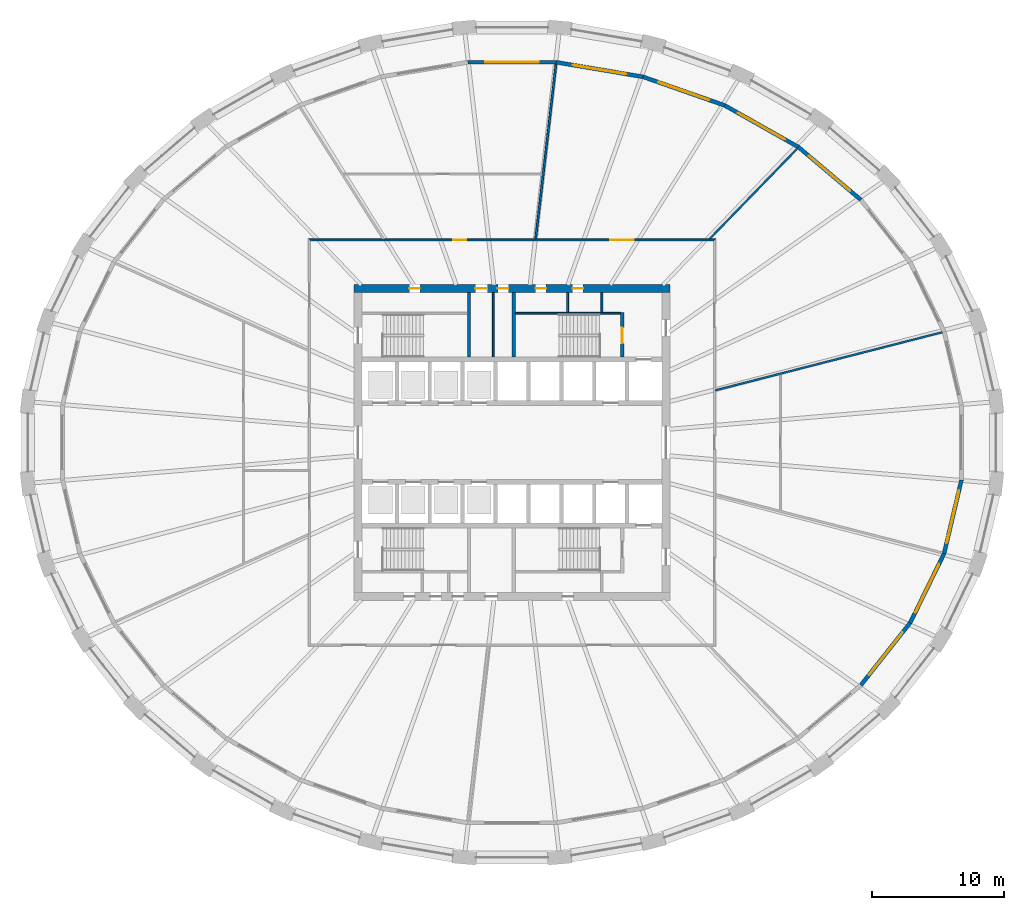
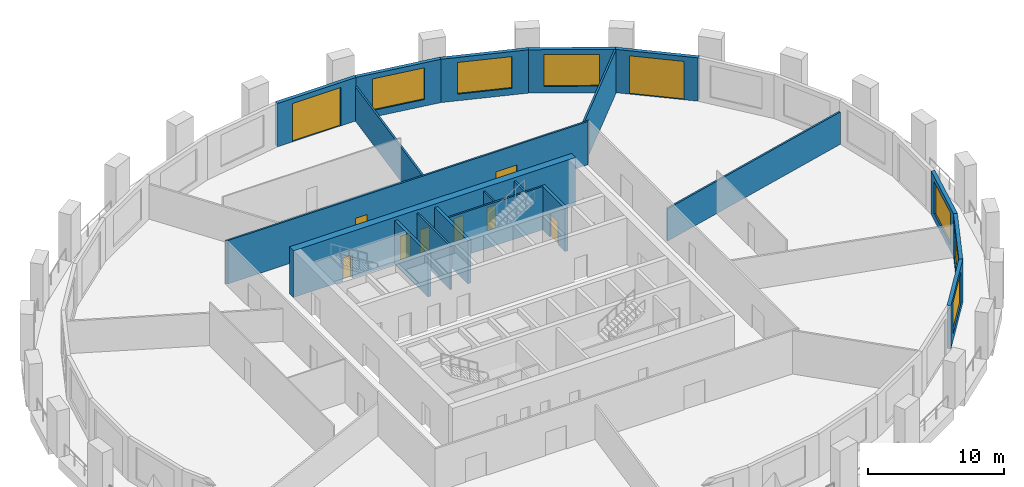
# One storey, part 6 of 10: 20 walls, 10 doors, 6 windows, 16 openings.
"""IFC4 building model written with IfcOpenShell, lengths in metres."""

from ifc_helpers import new_model, si_unit, direction, frame, frame_2d, origin, place, context, subcontext, project, spatial, polyline, rectangle, outline, extrude, material, layer, layer_set, type_object, element, fill, save


model = new_model("IFC4")

# Units and contexts
model_context = context("Model", 3, precision=1e-05, world=origin(), true_north=direction((0.0, 1.0)))
body_context = subcontext(model_context, "Body", "Model", "MODEL_VIEW")
ifc_project = project(units=[si_unit("LENGTHUNIT", "METRE"), si_unit("AREAUNIT", "SQUARE_METRE"), si_unit("VOLUMEUNIT", "CUBIC_METRE"), si_unit("PLANEANGLEUNIT", "RADIAN"), si_unit("MASSUNIT", "GRAM", prefix="KILO")], contexts=[model_context])

# Site, building, storey
site_placement = place(None, origin())
site = spatial("IfcSite", under=ifc_project, at=site_placement, CompositionType="ELEMENT")
building_placement = place(site_placement, origin())
building = spatial("IfcBuilding", under=site, at=building_placement, Name="Halqa Exchange Tower", CompositionType="ELEMENT")
storey_placement = place(building_placement, frame((0.0, 0.0, 61.300048828125)))
storey = spatial("IfcBuildingStorey", under=building, at=storey_placement, Name="L13", CompositionType="ELEMENT", Elevation=61.300048828125)

# Wall, openings, doors
ifc_material_1 = material(Name="Fire-rated gypsum board")
ifc_layer_1 = layer(ifc_material_1, 0.14990234375)
ifc_layer_set_1 = layer_set([ifc_layer_1], Name="Fire-rated gypsum board")
wall_type_1 = type_object("IfcWallType", Name="Fire partition EI 60 150", PredefinedType="PARTITIONING", material=ifc_layer_set_1)
wall_1_placement = place(storey_placement, frame((-15.47509765625, 15.39990234375, 0.0), z_axis=(0.0, 0.0, 1.0), x_axis=(1.0, 0.0, 0.0)))
wall_1 = element("IfcWall", 1, at=wall_1_placement, inside=storey, type_object=wall_type_1, Name="L13-PWL-010", PredefinedType="PARTITIONING", context=body_context, shape_type="SweptSolid", body=[
    extrude(outline(polyline([(0.150146484375, -0.074951171875), (2.065673828125, -0.074951171875), (3.9814453125, -0.074951171875), (5.89697265625, -0.074951171875), (7.8125, -0.074951171875), (9.728271484375, -0.074951171875), (11.643798828125, -0.074951171875), (13.5595703125, -0.074951171875), (15.47509765625, -0.074951171875), (17.390625, -0.074951171875), (19.306396484375, -0.074951171875), (21.221923828125, -0.074951171875), (23.1376953125, -0.074951171875), (25.05322265625, -0.074951171875), (26.96875, -0.074951171875), (28.884521484375, -0.074951171875), (30.800048828125, -0.074951171875), (30.949951171875, 0.074951171875), (29.015625, 0.074951171875), (27.081298828125, 0.074951171875), (25.14697265625, 0.074951171875), (23.21240234375, 0.074951171875), (21.278076171875, 0.074951171875), (19.34375, 0.074951171875), (17.409423828125, 0.074951171875), (15.47509765625, 0.074951171875), (13.540771484375, 0.074951171875), (11.6064453125, 0.074951171875), (9.672119140625, 0.074951171875), (7.73779296875, 0.074951171875), (5.80322265625, 0.074951171875), (3.868896484375, 0.074951171875), (1.9345703125, 0.074951171875), (0.000244140625, 0.074951171875), (0.150146484375, -0.074951171875)])), origin(), (0.0, 0.0, 1.0), 3.89990234375),
])
opening_1_placement = place(wall_1_placement, frame((22.945068359375, 0.0, 0.0)))
opening_1 = element("IfcOpeningElement", 2, at=opening_1_placement, cuts=wall_1, Name="Opening 04-04", PredefinedType="OPENING", context=body_context, shape_type="SweptSolid", body=[
    extrude(rectangle(XDim=1.800048828125, YDim=2.10009765625, at=frame_2d((0.89990234375, 1.050048828125))), frame((0.0, 0.0869140625, 0.0), z_axis=(0.0, -1.0, 0.0), x_axis=(1.0, 0.0, 0.0)), (0.0, 0.0, 1.0), 0.173828125),
])
opening_2_placement = place(wall_1_placement, frame((11.0, 0.0, 0.0)))
opening_2 = element("IfcOpeningElement", 3, at=opening_2_placement, cuts=wall_1, Name="Opening 04-05", PredefinedType="OPENING", context=body_context, shape_type="SweptSolid", body=[
    extrude(rectangle(XDim=1.0, YDim=2.10009765625, at=frame_2d((0.5, 1.050048828125))), frame((0.0, 0.0869140625, 0.0), z_axis=(0.0, -1.0, 0.0), x_axis=(1.0, 0.0, 0.0)), (0.0, 0.0, 1.0), 0.173828125),
])
ifc_material_2 = material(Name="Steel fire door leaf", Category="steel")
door_type_1 = type_object("IfcDoorType", Name="Fire door FD30S 1000 x 2100", OperationType="SINGLE_SWING_LEFT", PredefinedType="DOOR", material=ifc_material_2)
door_1_placement = place(opening_2_placement, origin())
door_1 = element("IfcDoor", 4, at=door_1_placement, inside=storey, type_object=door_type_1, Name="L13-IDR-005", OperationType="SINGLE_SWING_RIGHT", OverallHeight=2.10009765625, OverallWidth=1.0, PredefinedType="DOOR", context=body_context, shape_type="SweptSolid", body=[
    extrude(rectangle(XDim=1.0, YDim=2.10009765625, at=frame_2d((0.5, 1.050048828125))), frame((0.0, 0.02490234375, 0.0), z_axis=(0.0, -1.0, 0.0), x_axis=(1.0, 0.0, 0.0)), (0.0, 0.0, 1.0), 0.050048828125),
])
fill(opening_2, door_1)
door_type_2 = type_object("IfcDoorType", Name="Fire door FD30S double 1800 x 2100", OperationType="DOUBLE_DOOR_SINGLE_SWING", PredefinedType="DOOR", material=ifc_material_2)
door_2_placement = place(opening_1_placement, origin())
door_2 = element("IfcDoor", 5, at=door_2_placement, inside=storey, type_object=door_type_2, Name="L13-IDR-004", OperationType="DOUBLE_DOOR_SINGLE_SWING", OverallHeight=2.10009765625, OverallWidth=1.800048828125, PredefinedType="DOOR", context=body_context, shape_type="SweptSolid", body=[
    extrude(rectangle(XDim=1.800048828125, YDim=2.10009765625, at=frame_2d((0.89990234375, 1.050048828125))), frame((0.0, 0.02490234375, 0.0), z_axis=(0.0, -1.0, 0.0), x_axis=(1.0, 0.0, 0.0)), (0.0, 0.0, 1.0), 0.050048828125),
])
fill(opening_1, door_2)

# Walls
wall_2_placement = place(storey_placement, frame((1.7978515625, 15.466552734375, 0.0), z_axis=(0.0, 0.0, 1.0), x_axis=(0.115693975805, 0.993284905736, 0.0)))
element("IfcWall", 6, at=wall_2_placement, inside=storey, type_object=wall_type_1, Name="L13-PWL-013", PredefinedType="PARTITIONING", context=body_context, shape_type="SweptSolid", body=[
    extrude(outline(polyline([(13.37255859375, -0.074951171875), (13.37255859375, 0.0283203125), (13.3671875, 0.074951171875), (11.69482421875, 0.074951171875), (10.0224609375, 0.074951171875), (8.35009765625, 0.074951171875), (6.677734375, 0.074951171875), (5.00537109375, 0.074951171875), (4.908935546875, 0.063720703125), (4.90771484375, 0.074951171875), (3.271728515625, 0.074951171875), (1.635986328125, 0.074951171875), (0.0, 0.074951171875), (0.0, 0.072998046875), (0.017333984375, -0.074951171875), (1.925048828125, -0.074951171875), (3.8330078125, -0.074951171875), (5.740966796875, -0.074951171875), (7.64892578125, -0.074951171875), (9.556640625, -0.074951171875), (11.464599609375, -0.074951171875), (13.37255859375, -0.074951171875)])), origin(), (0.0, 0.0, 1.0), 3.099853515625),
])
wall_3_placement = place(storey_placement, frame((14.972412109375, 15.423095703125, 0.0), z_axis=(0.0, 0.0, 1.0), x_axis=(0.696498460967, 0.717558286044, 0.0)))
element("IfcWall", 7, at=wall_3_placement, inside=storey, type_object=wall_type_1, Name="L13-PWL-014", PredefinedType="PARTITIONING", context=body_context, shape_type="SweptSolid", body=[
    extrude(outline(polyline([(0.0, 0.074951171875), (0.0, 0.074462890625), (0.14501953125, -0.074951171875), (2.0380859375, -0.074951171875), (3.93115234375, -0.074951171875), (5.82421875, -0.074951171875), (7.71728515625, -0.074951171875), (9.6103515625, -0.074951171875), (9.6103515625, 0.074951171875), (7.688232421875, 0.074951171875), (5.76611328125, 0.074951171875), (3.84423828125, 0.074951171875), (1.922119140625, 0.074951171875), (0.0, 0.074951171875)])), origin(), (0.0, 0.0, 1.0), 3.89990234375),
])
wall_4_placement = place(storey_placement, frame((15.456787109375, 3.964599609375, 0.0), z_axis=(0.0, 0.0, 1.0), x_axis=(0.968758808885, 0.248004778598, 0.0)))
element("IfcWall", 8, at=wall_4_placement, inside=storey, type_object=wall_type_1, Name="L13-PWL-017", PredefinedType="PARTITIONING", context=body_context, shape_type="SweptSolid", body=[
    extrude(outline(polyline([(0.0, -0.074951171875), (1.67724609375, -0.074951171875), (3.3544921875, -0.074951171875), (5.03173828125, -0.074951171875), (5.03173828125, -0.074951171875), (5.0322265625, -0.074951171875), (6.8564453125, -0.074951171875), (8.680419921875, -0.074951171875), (10.504638671875, -0.074951171875), (12.328857421875, -0.074951171875), (14.153076171875, -0.074951171875), (15.97705078125, -0.074951171875), (17.80126953125, -0.074951171875), (17.80126953125, 0.01708984375), (17.789306640625, 0.074951171875), (15.81689453125, 0.074951171875), (13.844482421875, 0.074951171875), (11.8720703125, 0.074951171875), (9.89990234375, 0.074951171875), (7.927490234375, 0.074951171875), (5.955078125, 0.074951171875), (3.982666015625, 0.074951171875), (2.01025390625, 0.074951171875), (0.0380859375, 0.074951171875), (0.0, -0.073486328125), (0.0, -0.074951171875)])), origin(), (0.0, 0.0, 1.0), 2.909912109375),
])
ifc_material_3 = material(Name="Gypsum board")
ifc_layer_2 = layer(ifc_material_3, 0.14990234375)
ifc_layer_set_2 = layer_set([ifc_layer_2], Name="Gypsum board")
wall_type_2 = type_object("IfcWallType", Name="Penthouse riser wall 150 gypsum", PredefinedType="PARTITIONING", material=ifc_layer_set_2)
wall_5_placement = place(storey_placement, frame((-1.425048828125, 6.5, 0.0), z_axis=(0.0, 0.0, 1.0), x_axis=(0.0, 1.0, 0.0)))
element("IfcWall", 9, at=wall_5_placement, inside=storey, type_object=wall_type_2, Name="Partition W1.425 N", PredefinedType="PARTITIONING", context=body_context, shape_type="SweptSolid", body=[
    extrude(rectangle(XDim=4.89990234375, YDim=0.14990234375, at=frame_2d((2.449951171875, 0.0))), origin(), (0.0, 0.0, 1.0), 3.89990234375),
])
for number, where, z_axis, x_axis, name in (
    (10, (4.22509765625, 9.89990234375, 0.0), (0.0, 0.0, 1.0), (0.0, 1.0, 0.0), "Partition E4.225 N"),
    (11, (6.824951171875, 9.89990234375, 0.0), (0.0, 0.0, 1.0), (0.0, 1.0, 0.0), "Firefighting lobby west wall N"),
):
    element("IfcWall", number, at=place(storey_placement, frame(where, z_axis=z_axis, x_axis=x_axis)), inside=storey, type_object=wall_type_2, Name=name, PredefinedType="PARTITIONING", context=body_context, shape_type="SweptSolid", body=[
        extrude(rectangle(XDim=1.5, YDim=0.14990234375, at=frame_2d((0.75, 0.0))), origin(), (0.0, 0.0, 1.0), 3.89990234375),
    ])

# Wall, openings, doors
ifc_material_4 = material(Name="Concrete C80/95", Category="concrete")
ifc_layer_3 = layer(ifc_material_4, 0.60009765625)
ifc_layer_set_3 = layer_set([ifc_layer_3], Name="Concrete C80/95")
wall_type_3 = type_object("IfcWallType", Name="RC core wall 600 C80/95", PredefinedType="SHEAR", material=ifc_layer_set_3)
wall_6_placement = place(storey_placement, frame((-12.0, 11.699951171875, 0.0), z_axis=(0.0, 0.0, 1.0), x_axis=(1.0, 0.0, 0.0)))
wall_6 = element("IfcWall", 12, at=wall_6_placement, inside=storey, type_object=wall_type_3, Name="Core wall north", PredefinedType="SHEAR", context=body_context, shape_type="SweptSolid", body=[
    extrude(rectangle(XDim=24.0, YDim=0.60009765625, at=frame_2d((12.0, 0.0))), origin(), (0.0, 0.0, 1.0), 4.199951171875),
])
opening_3_placement = place(wall_6_placement, frame((9.22509765625, 0.0, 0.0)))
opening_3 = element("IfcOpeningElement", 13, at=opening_3_placement, cuts=wall_6, Name="Opening T04-C21", PredefinedType="OPENING", context=body_context, shape_type="SweptSolid", body=[
    extrude(rectangle(XDim=0.89990234375, YDim=2.10009765625, at=frame_2d((0.449951171875, 1.050048828125))), frame((0.0, 0.31201171875, 0.0), z_axis=(0.0, -1.0, 0.0), x_axis=(1.0, 0.0, 0.0)), (0.0, 0.0, 1.0), 0.6240234375),
])
opening_4_placement = place(wall_6_placement, frame((10.925048828125, 0.0, 0.0)))
opening_4 = element("IfcOpeningElement", 14, at=opening_4_placement, cuts=wall_6, Name="Opening T04-C22", PredefinedType="OPENING", context=body_context, shape_type="SweptSolid", body=[
    extrude(rectangle(XDim=0.800048828125, YDim=2.10009765625, at=frame_2d((0.39990234375, 1.050048828125))), frame((0.0, 0.31201171875, 0.0), z_axis=(0.0, -1.0, 0.0), x_axis=(1.0, 0.0, 0.0)), (0.0, 0.0, 1.0), 0.6240234375),
])
opening_5_placement = place(wall_6_placement, frame((4.199951171875, 0.0, 0.0)))
opening_5 = element("IfcOpeningElement", 15, at=opening_5_placement, cuts=wall_6, Name="Opening T04-C23", PredefinedType="OPENING", context=body_context, shape_type="SweptSolid", body=[
    extrude(rectangle(XDim=0.800048828125, YDim=2.10009765625, at=frame_2d((0.39990234375, 1.050048828125))), frame((0.0, 0.31201171875, 0.0), z_axis=(0.0, -1.0, 0.0), x_axis=(1.0, 0.0, 0.0)), (0.0, 0.0, 1.0), 0.6240234375),
])
opening_6_placement = place(wall_6_placement, frame((13.800048828125, 0.0, 0.0)))
opening_6 = element("IfcOpeningElement", 16, at=opening_6_placement, cuts=wall_6, Name="Opening T04-C24", PredefinedType="OPENING", context=body_context, shape_type="SweptSolid", body=[
    extrude(rectangle(XDim=0.800048828125, YDim=2.10009765625, at=frame_2d((0.39990234375, 1.050048828125))), frame((0.0, 0.31201171875, 0.0), z_axis=(0.0, -1.0, 0.0), x_axis=(1.0, 0.0, 0.0)), (0.0, 0.0, 1.0), 0.6240234375),
])
opening_7_placement = place(wall_6_placement, frame((16.60009765625, 0.0, 0.0)))
opening_7 = element("IfcOpeningElement", 17, at=opening_7_placement, cuts=wall_6, Name="Opening T04-C25", PredefinedType="OPENING", context=body_context, shape_type="SweptSolid", body=[
    extrude(rectangle(XDim=0.800048828125, YDim=2.10009765625, at=frame_2d((0.39990234375, 1.050048828125))), frame((0.0, 0.31201171875, 0.0), z_axis=(0.0, -1.0, 0.0), x_axis=(1.0, 0.0, 0.0)), (0.0, 0.0, 1.0), 0.6240234375),
])
ifc_material_5 = material(Name="Timber fire door leaf", Category="wood")
door_type_3 = type_object("IfcDoorType", Name="Core room door FD30 900 x 2100", OperationType="SINGLE_SWING_LEFT", PredefinedType="DOOR", material=ifc_material_5)
door_3_placement = place(opening_3_placement, frame((0.89990234375, 0.0, 0.0), z_axis=(0.0, 0.0, 1.0), x_axis=(-1.0, 0.0, 0.0)))
door_3 = element("IfcDoor", 18, at=door_3_placement, inside=storey, type_object=door_type_3, Name="Core room door", OperationType="SINGLE_SWING_LEFT", OverallHeight=2.10009765625, OverallWidth=0.89990234375, PredefinedType="DOOR", context=body_context, shape_type="SweptSolid", body=[
    extrude(rectangle(XDim=0.89990234375, YDim=2.10009765625, at=frame_2d((0.449951171875, 1.050048828125))), frame((0.0, 0.02490234375, 0.0), z_axis=(0.0, -1.0, 0.0), x_axis=(1.0, 0.0, 0.0)), (0.0, 0.0, 1.0), 0.050048828125),
])
fill(opening_3, door_3)
door_type_4 = type_object("IfcDoorType", Name="Riser door FD60 800 x 2100", OperationType="SINGLE_SWING_LEFT", PredefinedType="DOOR", material=ifc_material_2)
door_4_placement = place(opening_4_placement, frame((0.800048828125, 0.0, 0.0), z_axis=(0.0, 0.0, 1.0), x_axis=(-1.0, 0.0, 0.0)))
door_4 = element("IfcDoor", 19, at=door_4_placement, inside=storey, type_object=door_type_4, Name="Core room door", OperationType="SINGLE_SWING_LEFT", OverallHeight=2.10009765625, OverallWidth=0.800048828125, PredefinedType="DOOR", context=body_context, shape_type="SweptSolid", body=[
    extrude(rectangle(XDim=0.800048828125, YDim=2.10009765625, at=frame_2d((0.39990234375, 1.050048828125))), frame((0.0, 0.02490234375, 0.0), z_axis=(0.0, -1.0, 0.0), x_axis=(1.0, 0.0, 0.0)), (0.0, 0.0, 1.0), 0.050048828125),
])
fill(opening_4, door_4)
door_5_placement = place(opening_5_placement, frame((0.800048828125, 0.0, 0.0), z_axis=(0.0, 0.0, 1.0), x_axis=(-1.0, 0.0, 0.0)))
door_5 = element("IfcDoor", 20, at=door_5_placement, inside=storey, type_object=door_type_4, Name="Core room door", OperationType="SINGLE_SWING_LEFT", OverallHeight=2.10009765625, OverallWidth=0.800048828125, PredefinedType="DOOR", context=body_context, shape_type="SweptSolid", body=[
    extrude(rectangle(XDim=0.800048828125, YDim=2.10009765625, at=frame_2d((0.39990234375, 1.050048828125))), frame((0.0, 0.02490234375, 0.0), z_axis=(0.0, -1.0, 0.0), x_axis=(1.0, 0.0, 0.0)), (0.0, 0.0, 1.0), 0.050048828125),
])
fill(opening_5, door_5)
door_6_placement = place(opening_6_placement, frame((0.800048828125, 0.0, 0.0), z_axis=(0.0, 0.0, 1.0), x_axis=(-1.0, 0.0, 0.0)))
door_6 = element("IfcDoor", 21, at=door_6_placement, inside=storey, type_object=door_type_4, Name="Core room door", OperationType="SINGLE_SWING_RIGHT", OverallHeight=2.10009765625, OverallWidth=0.800048828125, PredefinedType="DOOR", context=body_context, shape_type="SweptSolid", body=[
    extrude(rectangle(XDim=0.800048828125, YDim=2.10009765625, at=frame_2d((0.39990234375, 1.050048828125))), frame((0.0, 0.02490234375, 0.0), z_axis=(0.0, -1.0, 0.0), x_axis=(1.0, 0.0, 0.0)), (0.0, 0.0, 1.0), 0.050048828125),
])
fill(opening_6, door_6)
door_7_placement = place(opening_7_placement, frame((0.800048828125, 0.0, 0.0), z_axis=(0.0, 0.0, 1.0), x_axis=(-1.0, 0.0, 0.0)))
door_7 = element("IfcDoor", 22, at=door_7_placement, inside=storey, type_object=door_type_4, Name="Core room door", OperationType="SINGLE_SWING_LEFT", OverallHeight=2.10009765625, OverallWidth=0.800048828125, PredefinedType="DOOR", context=body_context, shape_type="SweptSolid", body=[
    extrude(rectangle(XDim=0.800048828125, YDim=2.10009765625, at=frame_2d((0.39990234375, 1.050048828125))), frame((0.0, 0.02490234375, 0.0), z_axis=(0.0, -1.0, 0.0), x_axis=(1.0, 0.0, 0.0)), (0.0, 0.0, 1.0), 0.050048828125),
])
fill(opening_7, door_7)

# Walls
ifc_material_6 = material(Name="Concrete C30/37", Category="concrete")
ifc_layer_4 = layer(ifc_material_6, 0.14990234375)
ifc_layer_set_4 = layer_set([ifc_layer_4], Name="Concrete C30/37")
wall_type_4 = type_object("IfcWallType", Name="RC stair wall 150 C30/37", PredefinedType="SHEAR", material=ifc_layer_set_4)
wall_7_placement = place(storey_placement, frame((0.25, 9.824951171875, 0.0), z_axis=(0.0, 0.0, 1.0), x_axis=(1.0, 0.0, 0.0)))
element("IfcWall", 23, at=wall_7_placement, inside=storey, type_object=wall_type_4, Name="Stair ST2 north wall N", PredefinedType="SHEAR", context=body_context, shape_type="SweptSolid", body=[
    extrude(rectangle(XDim=8.0, YDim=0.14990234375, at=frame_2d((4.0, 0.0))), origin(), (0.0, 0.0, 1.0), 3.89990234375),
])
ifc_layer_5 = layer(ifc_material_6, 0.25)
ifc_layer_set_5 = layer_set([ifc_layer_5], Name="Concrete C30/37")
wall_type_5 = type_object("IfcWallType", Name="RC stair wall 250 C30/37", PredefinedType="SHEAR", material=ifc_layer_set_5)
for number, where, z_axis, x_axis, name in (
    (24, (-3.27490234375, 6.5, 0.0), (0.0, 0.0, 1.0), (0.0, 1.0, 0.0), "Stair ST1 east wall N"),
    (25, (0.125, 6.5, 0.0), (0.0, 0.0, 1.0), (0.0, 1.0, 0.0), "Stair ST2 west wall N"),
):
    element("IfcWall", number, at=place(storey_placement, frame(where, z_axis=z_axis, x_axis=x_axis)), inside=storey, type_object=wall_type_5, Name=name, PredefinedType="SHEAR", context=body_context, shape_type="SweptSolid", body=[
        extrude(rectangle(XDim=4.89990234375, YDim=0.25, at=frame_2d((2.449951171875, 0.0))), origin(), (0.0, 0.0, 1.0), 3.89990234375),
    ])

# Wall, opening, door
wall_8_placement = place(storey_placement, frame((8.375, 6.5, 0.0), z_axis=(0.0, 0.0, 1.0), x_axis=(0.0, 1.0, 0.0)))
wall_8 = element("IfcWall", 26, at=wall_8_placement, inside=storey, type_object=wall_type_5, Name="Stair ST2 east wall N", PredefinedType="SHEAR", context=body_context, shape_type="SweptSolid", body=[
    extrude(rectangle(XDim=3.39990234375, YDim=0.25, at=frame_2d((1.699951171875, 0.0))), origin(), (0.0, 0.0, 1.0), 3.89990234375),
])
opening_8_placement = place(wall_8_placement, frame((1.02490234375, 0.0, 0.0)))
opening_8 = element("IfcOpeningElement", 27, at=opening_8_placement, cuts=wall_8, Name="Opening T04-C16", PredefinedType="OPENING", context=body_context, shape_type="SweptSolid", body=[
    extrude(rectangle(XDim=1.199951171875, YDim=2.10009765625, at=frame_2d((0.60009765625, 1.050048828125))), frame((0.0, 0.136962890625, 0.0), z_axis=(0.0, -1.0, 0.0), x_axis=(1.0, 0.0, 0.0)), (0.0, 0.0, 1.0), 0.27392578125),
])
door_type_5 = type_object("IfcDoorType", Name="Stair door FD90 1200 x 2100", OperationType="SINGLE_SWING_LEFT", PredefinedType="DOOR", material=ifc_material_2)
door_8_placement = place(opening_8_placement, origin())
door_8 = element("IfcDoor", 28, at=door_8_placement, inside=storey, type_object=door_type_5, Name="Stair door ST2", OperationType="SINGLE_SWING_RIGHT", OverallHeight=2.10009765625, OverallWidth=1.199951171875, PredefinedType="DOOR", context=body_context, shape_type="SweptSolid", body=[
    extrude(rectangle(XDim=1.199951171875, YDim=2.10009765625, at=frame_2d((0.60009765625, 1.050048828125))), frame((0.0, 0.02490234375, 0.0), z_axis=(0.0, -1.0, 0.0), x_axis=(1.0, 0.0, 0.0)), (0.0, 0.0, 1.0), 0.050048828125),
])
fill(opening_8, door_8)

ifc_material_7 = material(Name="Limestone cladding", Category="masonry")
ifc_layer_6 = layer(ifc_material_7, 0.0400390625)
ifc_material_8 = material(Name="Ventilated cavity")
ifc_layer_7 = layer(ifc_material_8, 0.030029296875, ventilated=True)
ifc_material_9 = material(Name="Mineral wool insulation")
ifc_layer_8 = layer(ifc_material_9, 0.10009765625)
ifc_layer_9 = layer(ifc_material_6, 0.10009765625)
ifc_material_10 = material(Name="Internal plaster")
ifc_layer_10 = layer(ifc_material_10, 0.030029296875)
ifc_layer_set_6 = layer_set([ifc_layer_6, ifc_layer_7, ifc_layer_8, ifc_layer_9, ifc_layer_10], Name="Stone-faced insulated wall 300")
wall_type_6 = type_object("IfcWallType", Name="Stone-faced insulated wall 300", PredefinedType="STANDARD", material=ifc_layer_set_6)
wall_9_placement = place(storey_placement, frame((26.52490234375, 18.43359375, 0.0), z_axis=(0.0, 0.0, 1.0), x_axis=(-0.763655167989, 0.645624336905, 0.0)))
wall_9 = element("IfcWall", 29, at=wall_9_placement, inside=storey, type_object=wall_type_6, Name="Glass-line wall 4", PredefinedType="STANDARD", context=body_context, shape_type="SweptSolid", body=[
    extrude(outline(polyline([(-0.01513671875, -0.14990234375), (6.246337890625, -0.14990234375), (6.218017578125, 0.14990234375), (0.01513671875, 0.14990234375), (-0.01513671875, -0.14990234375)])), origin(), (0.0, 0.0, 1.0), 3.89990234375),
])
opening_9_placement = place(wall_9_placement, frame((1.066162109375, 0.0, 0.0)))
opening_9 = element("IfcOpeningElement", 30, at=opening_9_placement, cuts=wall_9, Name="Opening LG-F1-01", PredefinedType="OPENING", context=body_context, shape_type="SweptSolid", body=[
    extrude(rectangle(XDim=4.10009765625, YDim=3.449951171875, at=frame_2d((2.050048828125, 1.72509765625))), frame((0.0, 0.162109375, 0.0), z_axis=(0.0, -1.0, 0.0), x_axis=(1.0, 0.0, 0.0)), (0.0, 0.0, 1.0), 0.323974609375),
])
ifc_material_11 = material(Name="Clear low-emissivity glass in aluminium frame", Category="aluminium")
door_type_6 = type_object("IfcDoorType", Name="Glazed sliding loggia door 4100 x 3450", OperationType="DOUBLE_DOOR_SLIDING", PredefinedType="DOOR", material=ifc_material_11)
door_9_placement = place(opening_9_placement, origin())
door_9 = element("IfcDoor", 31, at=door_9_placement, inside=storey, type_object=door_type_6, Name="Loggia door 1", OperationType="DOUBLE_DOOR_SLIDING", OverallHeight=3.449951171875, OverallWidth=4.10009765625, PredefinedType="DOOR", context=body_context, shape_type="SweptSolid", body=[
    extrude(rectangle(XDim=4.10009765625, YDim=3.449951171875, at=frame_2d((2.050048828125, 1.72509765625))), frame((0.0, 0.02490234375, 0.0), z_axis=(0.0, -1.0, 0.0), x_axis=(1.0, 0.0, 0.0)), (0.0, 0.0, 1.0), 0.050048828125),
])
fill(opening_9, door_9)

# Wall, opening, window
wall_10_placement = place(storey_placement, frame((21.765625, 22.457275390625, 0.0), z_axis=(0.0, 0.0, 1.0), x_axis=(-0.870673928577, 0.491860661262, 0.0)))
wall_10 = element("IfcWall", 32, at=wall_10_placement, inside=storey, type_object=wall_type_6, Name="Glass-line wall 5", PredefinedType="STANDARD", context=body_context, shape_type="SweptSolid", body=[
    extrude(outline(polyline([(-0.01416015625, -0.14990234375), (6.438232421875, -0.14990234375), (6.411376953125, 0.14990234375), (0.01416015625, 0.14990234375), (-0.01416015625, -0.14990234375)])), origin(), (0.0, 0.0, 1.0), 3.89990234375),
])
opening_10_placement = place(wall_10_placement, frame((1.16259765625, 0.0, 0.60009765625)))
opening_10 = element("IfcOpeningElement", 33, at=opening_10_placement, cuts=wall_10, Name="Opening W-F1-05", PredefinedType="OPENING", context=body_context, shape_type="SweptSolid", body=[
    extrude(rectangle(XDim=4.10009765625, YDim=2.85009765625, at=frame_2d((2.050048828125, 1.425048828125))), frame((0.0, 0.162109375, 0.0), z_axis=(0.0, -1.0, 0.0), x_axis=(1.0, 0.0, 0.0)), (0.0, 0.0, 1.0), 0.323974609375),
])
window_type = type_object("IfcWindowType", Name="Fixed clear glazed window 4100 x 2850", PartitioningType="TRIPLE_PANEL_VERTICAL", PredefinedType="WINDOW", material=ifc_material_11)
window_1_placement = place(opening_10_placement, origin())
window_1 = element("IfcWindow", 34, at=window_1_placement, inside=storey, type_object=window_type, Name="Window 1", OverallHeight=2.85009765625, OverallWidth=4.10009765625, PartitioningType="TRIPLE_PANEL_VERTICAL", PredefinedType="WINDOW", context=body_context, shape_type="SweptSolid", body=[
    extrude(rectangle(XDim=4.10009765625, YDim=2.85009765625, at=frame_2d((2.050048828125, 1.425048828125))), frame((0.0, 0.030029296875, 0.0), z_axis=(0.0, -1.0, 0.0), x_axis=(1.0, 0.0, 0.0)), (0.0, 0.0, 1.0), 0.06005859375),
])
fill(opening_10, window_1)

wall_11_placement = place(storey_placement, frame((16.171630859375, 25.617431640625, 0.0), z_axis=(0.0, 0.0, 1.0), x_axis=(-0.94380689486, 0.330497420889, 0.0)))
wall_11 = element("IfcWall", 35, at=wall_11_placement, inside=storey, type_object=wall_type_6, Name="Glass-line wall 6", PredefinedType="STANDARD", context=body_context, shape_type="SweptSolid", body=[
    extrude(outline(polyline([(-0.013427734375, -0.14990234375), (6.5966796875, -0.14990234375), (6.5712890625, 0.14990234375), (0.013427734375, 0.14990234375), (-0.013427734375, -0.14990234375)])), origin(), (0.0, 0.0, 1.0), 3.89990234375),
])
opening_11_placement = place(wall_11_placement, frame((1.241943359375, 0.0, 0.60009765625)))
opening_11 = element("IfcOpeningElement", 36, at=opening_11_placement, cuts=wall_11, Name="Opening W-F1-06", PredefinedType="OPENING", context=body_context, shape_type="SweptSolid", body=[
    extrude(rectangle(XDim=4.10009765625, YDim=2.85009765625, at=frame_2d((2.050048828125, 1.425048828125))), frame((0.0, 0.162109375, 0.0), z_axis=(0.0, -1.0, 0.0), x_axis=(1.0, 0.0, 0.0)), (0.0, 0.0, 1.0), 0.323974609375),
])
window_2_placement = place(opening_11_placement, origin())
window_2 = element("IfcWindow", 37, at=window_2_placement, inside=storey, type_object=window_type, Name="Window 1", OverallHeight=2.85009765625, OverallWidth=4.10009765625, PartitioningType="TRIPLE_PANEL_VERTICAL", PredefinedType="WINDOW", context=body_context, shape_type="SweptSolid", body=[
    extrude(rectangle(XDim=4.10009765625, YDim=2.85009765625, at=frame_2d((2.050048828125, 1.425048828125))), frame((0.0, 0.030029296875, 0.0), z_axis=(0.0, -1.0, 0.0), x_axis=(1.0, 0.0, 0.0)), (0.0, 0.0, 1.0), 0.06005859375),
])
fill(opening_11, window_2)

wall_12_placement = place(storey_placement, frame((9.95751953125, 27.79345703125, 0.0), z_axis=(0.0, 0.0, 1.0), x_axis=(-0.986153133093, 0.165837263877, 0.0)))
wall_12 = element("IfcWall", 38, at=wall_12_placement, inside=storey, type_object=wall_type_6, Name="Glass-line wall 7", PredefinedType="STANDARD", context=body_context, shape_type="SweptSolid", body=[
    extrude(outline(polyline([(-0.0126953125, -0.14990234375), (6.700439453125, -0.14990234375), (6.675537109375, 0.14990234375), (0.0126953125, 0.14990234375), (-0.0126953125, -0.14990234375)])), origin(), (0.0, 0.0, 1.0), 3.89990234375),
])
opening_12_placement = place(wall_12_placement, frame((1.294189453125, 0.0, 0.60009765625)))
opening_12 = element("IfcOpeningElement", 39, at=opening_12_placement, cuts=wall_12, Name="Opening W-F1-07", PredefinedType="OPENING", context=body_context, shape_type="SweptSolid", body=[
    extrude(rectangle(XDim=4.10009765625, YDim=2.85009765625, at=frame_2d((2.050048828125, 1.425048828125))), frame((0.0, 0.162109375, 0.0), z_axis=(0.0, -1.0, 0.0), x_axis=(1.0, 0.0, 0.0)), (0.0, 0.0, 1.0), 0.323974609375),
])
window_3_placement = place(opening_12_placement, origin())
window_3 = element("IfcWindow", 40, at=window_3_placement, inside=storey, type_object=window_type, Name="Window 1", OverallHeight=2.85009765625, OverallWidth=4.10009765625, PartitioningType="TRIPLE_PANEL_VERTICAL", PredefinedType="WINDOW", context=body_context, shape_type="SweptSolid", body=[
    extrude(rectangle(XDim=4.10009765625, YDim=2.85009765625, at=frame_2d((2.050048828125, 1.425048828125))), frame((0.0, 0.030029296875, 0.0), z_axis=(0.0, -1.0, 0.0), x_axis=(1.0, 0.0, 0.0)), (0.0, 0.0, 1.0), 0.06005859375),
])
fill(opening_12, window_3)

# Wall, opening, door
wall_13_placement = place(storey_placement, frame((3.362060546875, 28.902587890625, 0.0), z_axis=(0.0, 0.0, 1.0), x_axis=(-1.0, 0.0, 0.0)))
wall_13 = element("IfcWall", 41, at=wall_13_placement, inside=storey, type_object=wall_type_6, Name="Glass-line wall 8", PredefinedType="STANDARD", context=body_context, shape_type="SweptSolid", body=[
    extrude(outline(polyline([(-0.012451171875, -0.14990234375), (6.736572265625, -0.14990234375), (6.711669921875, 0.14990234375), (0.012451171875, 0.14990234375), (-0.012451171875, -0.14990234375)])), origin(), (0.0, 0.0, 1.0), 3.89990234375),
])
opening_13_placement = place(wall_13_placement, frame((1.31201171875, 0.0, 0.0)))
opening_13 = element("IfcOpeningElement", 42, at=opening_13_placement, cuts=wall_13, Name="Opening LG-F1-02", PredefinedType="OPENING", context=body_context, shape_type="SweptSolid", body=[
    extrude(rectangle(XDim=4.10009765625, YDim=3.449951171875, at=frame_2d((2.050048828125, 1.72509765625))), frame((0.0, 0.162109375, 0.0), z_axis=(0.0, -1.0, 0.0), x_axis=(1.0, 0.0, 0.0)), (0.0, 0.0, 1.0), 0.323974609375),
])
door_10_placement = place(opening_13_placement, origin())
door_10 = element("IfcDoor", 43, at=door_10_placement, inside=storey, type_object=door_type_6, Name="Loggia door 2", OperationType="DOUBLE_DOOR_SLIDING", OverallHeight=3.449951171875, OverallWidth=4.10009765625, PredefinedType="DOOR", context=body_context, shape_type="SweptSolid", body=[
    extrude(rectangle(XDim=4.10009765625, YDim=3.449951171875, at=frame_2d((2.050048828125, 1.72509765625))), frame((0.0, 0.02490234375, 0.0), z_axis=(0.0, -1.0, 0.0), x_axis=(1.0, 0.0, 0.0)), (0.0, 0.0, 1.0), 0.050048828125),
])
fill(opening_13, door_10)

# Wall, opening, window
wall_14_placement = place(storey_placement, frame((26.52490234375, -18.43359375, 0.0), z_axis=(0.0, 0.0, 1.0), x_axis=(0.620065339223, 0.784550173727, 0.0)))
wall_14 = element("IfcWall", 44, at=wall_14_placement, inside=storey, type_object=wall_type_6, Name="Glass-line wall 29", PredefinedType="STANDARD", context=body_context, shape_type="SweptSolid", body=[
    extrude(outline(polyline([(-0.01513671875, -0.14990234375), (6.0498046875, -0.14990234375), (6.017578125, 0.14990234375), (0.01513671875, 0.14990234375), (-0.01513671875, -0.14990234375)])), origin(), (0.0, 0.0, 1.0), 3.89990234375),
])
opening_14_placement = place(wall_14_placement, frame((0.966796875, 0.0, 0.60009765625)))
opening_14 = element("IfcOpeningElement", 45, at=opening_14_placement, cuts=wall_14, Name="Opening W-F1-29", PredefinedType="OPENING", context=body_context, shape_type="SweptSolid", body=[
    extrude(rectangle(XDim=4.10009765625, YDim=2.85009765625, at=frame_2d((2.050048828125, 1.425048828125))), frame((0.0, 0.162109375, 0.0), z_axis=(0.0, -1.0, 0.0), x_axis=(1.0, 0.0, 0.0)), (0.0, 0.0, 1.0), 0.323974609375),
])
window_4_placement = place(opening_14_placement, origin())
window_4 = element("IfcWindow", 46, at=window_4_placement, inside=storey, type_object=window_type, Name="Window 1", OverallHeight=2.85009765625, OverallWidth=4.10009765625, PartitioningType="TRIPLE_PANEL_VERTICAL", PredefinedType="WINDOW", context=body_context, shape_type="SweptSolid", body=[
    extrude(rectangle(XDim=4.10009765625, YDim=2.85009765625, at=frame_2d((2.050048828125, 1.425048828125))), frame((0.0, 0.030029296875, 0.0), z_axis=(0.0, -1.0, 0.0), x_axis=(1.0, 0.0, 0.0)), (0.0, 0.0, 1.0), 0.06005859375),
])
fill(opening_14, window_4)

wall_15_placement = place(storey_placement, frame((30.26611328125, -13.699951171875, 0.0), z_axis=(0.0, 0.0, 1.0), x_axis=(0.439949735177, 0.898022399786, 0.0)))
wall_15 = element("IfcWall", 47, at=wall_15_placement, inside=storey, type_object=wall_type_6, Name="Glass-line wall 30", PredefinedType="STANDARD", context=body_context, shape_type="SweptSolid", body=[
    extrude(outline(polyline([(-0.01611328125, -0.14990234375), (5.876953125, -0.14990234375), (5.84326171875, 0.14990234375), (0.01611328125, 0.14990234375), (-0.01611328125, -0.14990234375)])), origin(), (0.0, 0.0, 1.0), 3.89990234375),
])
opening_15_placement = place(wall_15_placement, frame((0.8798828125, 0.0, 0.60009765625)))
opening_15 = element("IfcOpeningElement", 48, at=opening_15_placement, cuts=wall_15, Name="Opening W-F1-30", PredefinedType="OPENING", context=body_context, shape_type="SweptSolid", body=[
    extrude(rectangle(XDim=4.10009765625, YDim=2.85009765625, at=frame_2d((2.050048828125, 1.425048828125))), frame((0.0, 0.162109375, 0.0), z_axis=(0.0, -1.0, 0.0), x_axis=(1.0, 0.0, 0.0)), (0.0, 0.0, 1.0), 0.323974609375),
])
window_5_placement = place(opening_15_placement, origin())
window_5 = element("IfcWindow", 49, at=window_5_placement, inside=storey, type_object=window_type, Name="Window 1", OverallHeight=2.85009765625, OverallWidth=4.10009765625, PartitioningType="TRIPLE_PANEL_VERTICAL", PredefinedType="WINDOW", context=body_context, shape_type="SweptSolid", body=[
    extrude(rectangle(XDim=4.10009765625, YDim=2.85009765625, at=frame_2d((2.050048828125, 1.425048828125))), frame((0.0, 0.030029296875, 0.0), z_axis=(0.0, -1.0, 0.0), x_axis=(1.0, 0.0, 0.0)), (0.0, 0.0, 1.0), 0.06005859375),
])
fill(opening_15, window_5)

wall_16_placement = place(storey_placement, frame((32.84423828125, -8.4375, 0.0), z_axis=(0.0, 0.0, 1.0), x_axis=(0.22905355604, 0.973413821797, 0.0)))
wall_16 = element("IfcWall", 50, at=wall_16_placement, inside=storey, type_object=wall_type_6, Name="Glass-line wall 31", PredefinedType="STANDARD", context=body_context, shape_type="SweptSolid", body=[
    extrude(outline(polyline([(-0.016845703125, -0.14990234375), (5.758056640625, -0.14990234375), (5.723388671875, 0.14990234375), (0.016845703125, 0.14990234375), (-0.016845703125, -0.14990234375)])), origin(), (0.0, 0.0, 1.0), 3.89990234375),
])
opening_16_placement = place(wall_16_placement, frame((0.8203125, 0.0, 0.60009765625)))
opening_16 = element("IfcOpeningElement", 51, at=opening_16_placement, cuts=wall_16, Name="Opening W-F1-31", PredefinedType="OPENING", context=body_context, shape_type="SweptSolid", body=[
    extrude(rectangle(XDim=4.10009765625, YDim=2.85009765625, at=frame_2d((2.050048828125, 1.425048828125))), frame((0.0, 0.162109375, 0.0), z_axis=(0.0, -1.0, 0.0), x_axis=(1.0, 0.0, 0.0)), (0.0, 0.0, 1.0), 0.323974609375),
])
window_6_placement = place(opening_16_placement, origin())
window_6 = element("IfcWindow", 52, at=window_6_placement, inside=storey, type_object=window_type, Name="Window 1", OverallHeight=2.85009765625, OverallWidth=4.10009765625, PartitioningType="TRIPLE_PANEL_VERTICAL", PredefinedType="WINDOW", context=body_context, shape_type="SweptSolid", body=[
    extrude(rectangle(XDim=4.10009765625, YDim=2.85009765625, at=frame_2d((2.050048828125, 1.425048828125))), frame((0.0, 0.030029296875, 0.0), z_axis=(0.0, -1.0, 0.0), x_axis=(1.0, 0.0, 0.0)), (0.0, 0.0, 1.0), 0.06005859375),
])
fill(opening_16, window_6)

save(model, "model.ifc")
